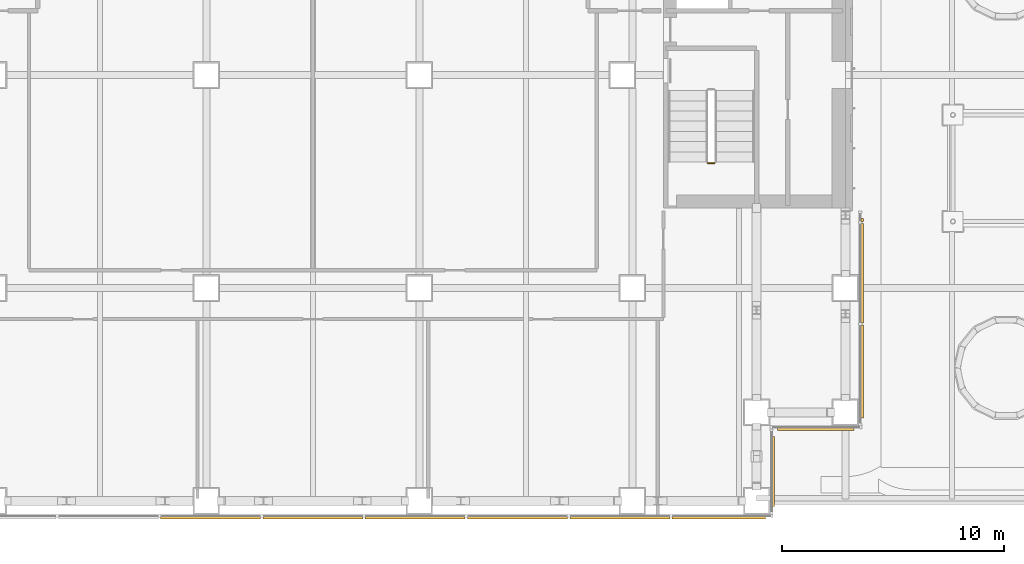
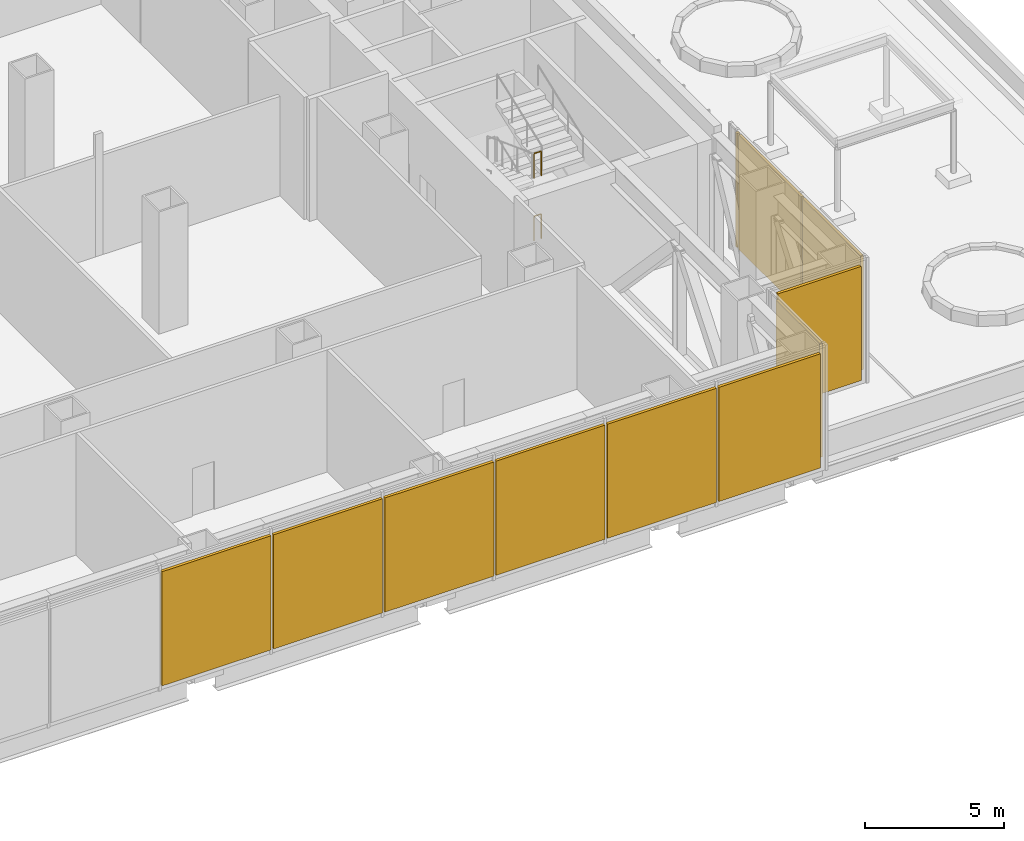
# One storey, part 33 of 39: 11 coverings, 2 railings.
"""IFC4 building model written with IfcOpenShell, lengths in metres."""

from ifc_helpers import new_model, si_unit, direction, frame, origin, origin_2d, place, context, subcontext, project, spatial, rectangle, circle, extrude, material, type_object, element, save


model = new_model("IFC4")

# Units and contexts
model_context = context("Model", 3, precision=1e-05, world=origin(), true_north=direction((0.0, 1.0)))
body_context = subcontext(model_context, "Body", "Model", "MODEL_VIEW")
ifc_project = project(units=[si_unit("LENGTHUNIT", "METRE"), si_unit("AREAUNIT", "SQUARE_METRE"), si_unit("VOLUMEUNIT", "CUBIC_METRE"), si_unit("PLANEANGLEUNIT", "RADIAN"), si_unit("MASSUNIT", "GRAM", prefix="KILO")], contexts=[model_context])

# Site, building, storey
site_placement = place(None, origin())
site = spatial("IfcSite", under=ifc_project, at=site_placement, CompositionType="ELEMENT")
building_placement = place(site_placement, origin())
building = spatial("IfcBuilding", under=site, at=building_placement, Name="Cobrizo Arcos Hotel Tower", CompositionType="ELEMENT")
storey_placement = place(building_placement, frame((0.0, 0.0, 33.5)))
storey = spatial("IfcBuildingStorey", under=building, at=storey_placement, Name="L06", CompositionType="ELEMENT", Elevation=33.5)

# Coverings
ifc_material_1 = material(Name="Aluminium 6063-T6 anodised bronze", Category="aluminium")
covering_type = type_object("IfcCoveringType", Name="LV-1 plant louvre band", PredefinedType="CLADDING", material=ifc_material_1)
for number, where, z_axis, x_axis, name in (
    (1, (-4.611083984375, -24.7548828125, 0.25), (0.0, 0.0, 1.0), (1.0, 0.0, 0.0), "louvre band 326"),
    (2, (0.0, -24.7548828125, 0.25), (0.0, 0.0, 1.0), (1.0, 0.0, 0.0), "louvre band 327"),
    (3, (4.611083984375, -24.7548828125, 0.25), (0.0, 0.0, 1.0), (1.0, 0.0, 0.0), "louvre band 328"),
    (4, (9.22216796875, -24.7548828125, 0.25), (0.0, 0.0, 1.0), (1.0, 0.0, 0.0), "louvre band 329"),
    (5, (13.833251953125, -24.7548828125, 0.25), (0.0, 0.0, 1.0), (1.0, 0.0, 0.0), "louvre band 330"),
):
    element("IfcCovering", number, at=place(storey_placement, frame(where, z_axis=z_axis, x_axis=x_axis)), inside=storey, type_object=covering_type, Name=name, PredefinedType="CLADDING", context=body_context, shape_type="SweptSolid", body=[
        extrude(rectangle(XDim=4.51123046875, YDim=0.1201171875, at=origin_2d()), origin(), (0.0, 0.0, 1.0), 5.0),
    ])
covering_1_placement = place(storey_placement, frame((18.29443359375, -24.7548828125, 0.25), z_axis=(0.0, 0.0, 1.0), x_axis=(1.0, 0.0, 0.0)))
element("IfcCovering", 6, at=covering_1_placement, inside=storey, type_object=covering_type, Name="louvre band 331", PredefinedType="CLADDING", context=body_context, shape_type="SweptSolid", body=[
    extrude(rectangle(XDim=4.211181640625, YDim=0.1201171875, at=origin_2d()), origin(), (0.0, 0.0, 1.0), 5.0),
])
covering_2_placement = place(storey_placement, frame((20.7548828125, -22.675048828125, 0.25), z_axis=(0.0, 0.0, 1.0), x_axis=(0.0, 1.0, 0.0)))
element("IfcCovering", 7, at=covering_2_placement, inside=storey, type_object=covering_type, Name="louvre band 332", PredefinedType="CLADDING", context=body_context, shape_type="SweptSolid", body=[
    extrude(rectangle(XDim=3.14990234375, YDim=0.1201171875, at=origin_2d()), origin(), (0.0, 0.0, 1.0), 5.0),
])
covering_3_placement = place(storey_placement, frame((22.675048828125, -20.7548828125, 0.25), z_axis=(0.0, 0.0, 1.0), x_axis=(1.0, 0.0, 0.0)))
element("IfcCovering", 8, at=covering_3_placement, inside=storey, type_object=covering_type, Name="louvre band 333", PredefinedType="CLADDING", context=body_context, shape_type="SweptSolid", body=[
    extrude(rectangle(XDim=3.449951171875, YDim=0.1201171875, at=origin_2d()), origin(), (0.0, 0.0, 1.0), 5.0),
])
covering_4_placement = place(storey_placement, frame((24.7548828125, -18.1611328125, 0.25), z_axis=(0.0, 0.0, 1.0), x_axis=(0.0, 1.0, 0.0)))
element("IfcCovering", 9, at=covering_4_placement, inside=storey, type_object=covering_type, Name="louvre band 334", PredefinedType="CLADDING", context=body_context, shape_type="SweptSolid", body=[
    extrude(rectangle(XDim=4.177734375, YDim=0.1201171875, at=origin_2d()), origin(), (0.0, 0.0, 1.0), 5.0),
])
covering_5_placement = place(storey_placement, frame((24.7548828125, -13.7333984375, 0.25), z_axis=(0.0, 0.0, 1.0), x_axis=(0.0, 1.0, 0.0)))
element("IfcCovering", 10, at=covering_5_placement, inside=storey, type_object=covering_type, Name="louvre band 335", PredefinedType="CLADDING", context=body_context, shape_type="SweptSolid", body=[
    extrude(rectangle(XDim=4.477783203125, YDim=0.1201171875, at=origin_2d()), origin(), (0.0, 0.0, 1.0), 5.0),
])
covering_6_placement = place(storey_placement, frame((24.7548828125, -11.33447265625, 0.25), z_axis=(0.0, 0.0, 1.0), x_axis=(0.0, 1.0, 0.0)))
element("IfcCovering", 11, at=covering_6_placement, inside=storey, type_object=covering_type, Name="louvre band 336", PredefinedType="CLADDING", context=body_context, shape_type="SweptSolid", body=[
    extrude(rectangle(XDim=0.1201171875, YDim=0.1201171875, at=origin_2d()), origin(), (0.0, 0.0, 1.0), 5.0),
])

# Railings
ifc_material_2 = material(Name="Stainless steel railing", Category="steel")
railing_type = type_object("IfcRailingType", Name="Stair guard 1100", PredefinedType="GUARDRAIL", material=ifc_material_2)
for number, where, name in (
    (12, (17.800048828125, -8.77001953125, 1.375), "L06 ST-E stair guard 2"),
    (13, (17.800048828125, -8.77001953125, 4.125), "L06 ST-E stair guard 6"),
):
    element("IfcRailing", number, at=place(storey_placement, frame(where)), inside=storey, type_object=railing_type, Name=name, PredefinedType="GUARDRAIL", context=body_context, shape_type="SweptSolid", body=[
        extrude(circle(Radius=0.02392578125, at=origin_2d()), frame((0.0, 0.0, 1.076171875), z_axis=(1.0, 0.0, 0.0), x_axis=(0.0, 1.0, 0.0)), (0.0, 0.0, 1.0), 0.300048828125),
        extrude(circle(Radius=0.02099609375, at=origin_2d()), origin(), (0.0, 0.0, 1.0), 1.052001953125),
        extrude(circle(Radius=0.02099609375, at=origin_2d()), frame((0.300048828125, 0.0, 0.0)), (0.0, 0.0, 1.0), 1.052001953125),
    ])

save(model, "model.ifc")
